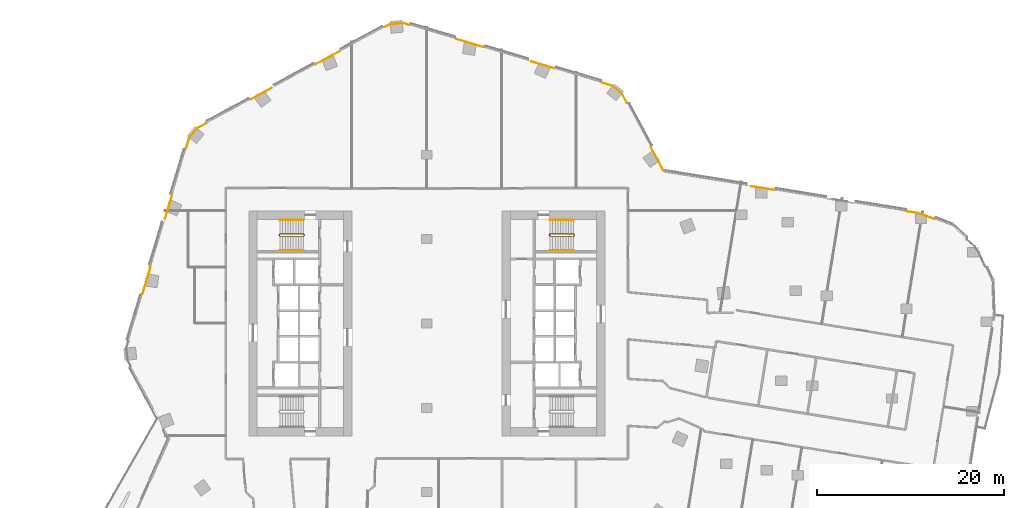
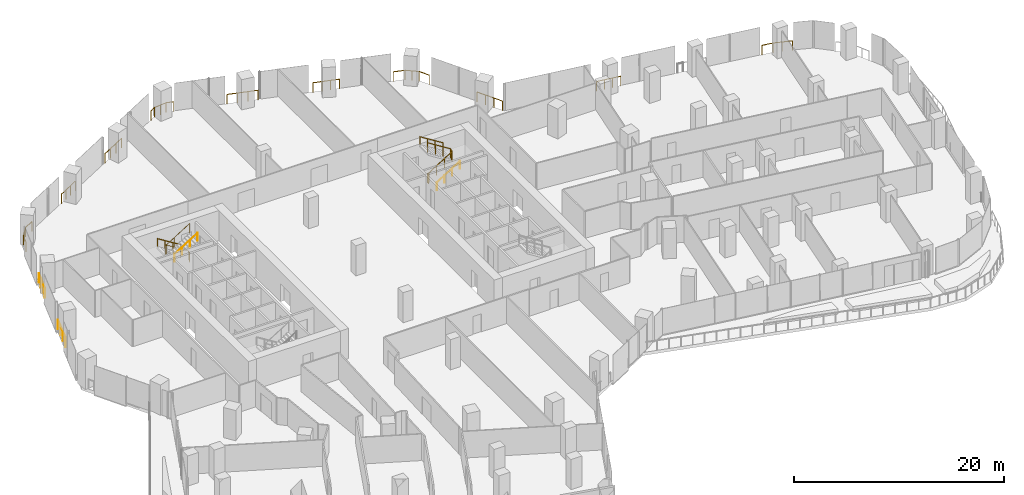
# One storey, part 31 of 32: 18 railings.
"""IFC4 building model written with IfcOpenShell, lengths in metres."""

from ifc_helpers import new_model, si_unit, direction, frame, origin, origin_2d, place, context, subcontext, project, spatial, circle, extrude, material, type_object, element, save


model = new_model("IFC4")

# Units and contexts
model_context = context("Model", 3, precision=1e-05, world=origin(), true_north=direction((0.0, 1.0)))
body_context = subcontext(model_context, "Body", "Model", "MODEL_VIEW")
ifc_project = project(units=[si_unit("LENGTHUNIT", "METRE"), si_unit("AREAUNIT", "SQUARE_METRE"), si_unit("VOLUMEUNIT", "CUBIC_METRE"), si_unit("PLANEANGLEUNIT", "RADIAN"), si_unit("MASSUNIT", "GRAM", prefix="KILO")], contexts=[model_context])

# Site, building, storey
site_placement = place(None, origin())
site = spatial("IfcSite", under=ifc_project, at=site_placement, CompositionType="ELEMENT")
building_placement = place(site_placement, origin())
building = spatial("IfcBuilding", under=site, at=building_placement, Name="Orlundy Tower", CompositionType="ELEMENT")
storey_placement = place(building_placement, frame((0.0, 0.0, 123.699951171875)))
storey = spatial("IfcBuildingStorey", under=building, at=storey_placement, Name="L31", CompositionType="ELEMENT", Elevation=123.699951171875)

# Railings
ifc_material_1 = material(Name="Steel balustrade", Category="steel")
railing_type_1 = type_object("IfcRailingType", Name="Stair Guard 1100", PredefinedType="GUARDRAIL", material=ifc_material_1)
railing_1_placement = place(storey_placement, frame((-13.090087890625, 9.5, 0.0)))
element("IfcRailing", 1, at=railing_1_placement, inside=storey, type_object=railing_type_1, Name="L31 ST-W1 stair guard 1", PredefinedType="GUARDRAIL", context=body_context, shape_type="SweptSolid", body=[
    extrude(circle(Radius=0.02392578125, at=origin_2d()), frame((0.0, 0.0, 1.076171875), z_axis=(0.0, -1.0, 0.0), x_axis=(1.0, 0.0, 0.0)), (0.0, 0.0, 1.0), 0.14990234375),
    extrude(circle(Radius=0.02392578125, at=origin_2d()), frame((0.0, -0.14990234375, 1.076171875), z_axis=(-0.18420542264, 0.739530593833, 0.647427882513), x_axis=(-0.970351222016, -0.241699205484, 0.0)), (0.0, 0.0, 1.0), 0.270263671875),
    extrude(circle(Radius=0.02392578125, at=origin_2d()), frame((-0.0498046875, 0.050048828125, 1.2509765625), z_axis=(-0.848007534815, 0.0, 0.529984170421), x_axis=(0.0, -1.0, 0.0)), (0.0, 0.0, 1.0), 2.9716796875),
    extrude(circle(Radius=0.02392578125, at=origin_2d()), frame((-2.56982421875, 0.050048828125, 2.826171875), z_axis=(-0.707106781187, -0.707106781187, 0.0), x_axis=(0.707106781187, -0.707106781187, 0.0)), (0.0, 0.0, 1.0), 0.07080078125),
    extrude(circle(Radius=0.02392578125, at=origin_2d()), frame((-2.619873046875, 0.0, 2.826171875), z_axis=(0.0, -1.0, 0.0), x_axis=(1.0, 0.0, 0.0)), (0.0, 0.0, 1.0), 0.14990234375),
    extrude(circle(Radius=0.02392578125, at=origin_2d()), frame((-2.619873046875, -0.14990234375, 2.826171875), z_axis=(0.265065253269, -0.265065253269, 0.927081885822), x_axis=(0.707106781187, 0.707106781187, 0.0)), (0.0, 0.0, 1.0), 0.188720703125),
    extrude(circle(Radius=0.02392578125, at=origin_2d()), frame((-2.56982421875, -0.199951171875, 3.0009765625), z_axis=(0.848007534815, 0.0, 0.529984170421), x_axis=(0.0, 1.0, 0.0)), (0.0, 0.0, 1.0), 2.9716796875),
    extrude(circle(Radius=0.02099609375, at=origin_2d()), origin(), (0.0, 0.0, 1.0), 1.052001953125),
    extrude(circle(Radius=0.02099609375, at=origin_2d()), frame((0.0, -0.14990234375, 0.0)), (0.0, 0.0, 1.0), 1.052001953125),
    extrude(circle(Radius=0.02099609375, at=origin_2d()), frame((-0.0498046875, 0.050048828125, 0.175048828125)), (0.0, 0.0, 1.0), 1.052001953125),
    extrude(circle(Radius=0.02099609375, at=origin_2d()), frame((-0.889892578125, 0.050048828125, 0.699951171875)), (0.0, 0.0, 1.0), 1.052001953125),
    extrude(circle(Radius=0.02099609375, at=origin_2d()), frame((-1.729736328125, 0.050048828125, 1.22509765625)), (0.0, 0.0, 1.0), 1.052001953125),
    extrude(circle(Radius=0.02099609375, at=origin_2d()), frame((-2.56982421875, 0.050048828125, 1.75)), (0.0, 0.0, 1.0), 1.052001953125),
    extrude(circle(Radius=0.02099609375, at=origin_2d()), frame((-2.619873046875, 0.0, 1.75)), (0.0, 0.0, 1.0), 1.052001953125),
    extrude(circle(Radius=0.02099609375, at=origin_2d()), frame((-2.619873046875, -0.14990234375, 1.75)), (0.0, 0.0, 1.0), 1.052001953125),
    extrude(circle(Radius=0.02099609375, at=origin_2d()), frame((-2.56982421875, -0.199951171875, 1.925048828125)), (0.0, 0.0, 1.0), 1.052001953125),
    extrude(circle(Radius=0.02099609375, at=origin_2d()), frame((-1.729736328125, -0.199951171875, 2.449951171875)), (0.0, 0.0, 1.0), 1.052001953125),
    extrude(circle(Radius=0.02099609375, at=origin_2d()), frame((-0.889892578125, -0.199951171875, 2.97509765625)), (0.0, 0.0, 1.0), 1.052001953125),
    extrude(circle(Radius=0.02099609375, at=origin_2d()), frame((-0.0498046875, -0.199951171875, 3.5)), (0.0, 0.0, 1.0), 1.052001953125),
])
railing_2_placement = place(storey_placement, frame((13.090087890625, 9.35009765625, 0.0)))
element("IfcRailing", 2, at=railing_2_placement, inside=storey, type_object=railing_type_1, Name="L31 ST-E2 stair guard 1", PredefinedType="GUARDRAIL", context=body_context, shape_type="SweptSolid", body=[
    extrude(circle(Radius=0.02392578125, at=origin_2d()), frame((0.0, 0.0, 1.076171875), z_axis=(0.0, 1.0, 0.0), x_axis=(-1.0, 0.0, 0.0)), (0.0, 0.0, 1.0), 0.14990234375),
    extrude(circle(Radius=0.02392578125, at=origin_2d()), frame((0.0, 0.14990234375, 1.076171875), z_axis=(0.18420542264, -0.739530593833, 0.647427882513), x_axis=(0.970351222016, 0.241699205484, 0.0)), (0.0, 0.0, 1.0), 0.270263671875),
    extrude(circle(Radius=0.02392578125, at=origin_2d()), frame((0.0498046875, -0.050048828125, 1.2509765625), z_axis=(0.848007534815, 0.0, 0.529984170421), x_axis=(0.0, 1.0, 0.0)), (0.0, 0.0, 1.0), 2.9716796875),
    extrude(circle(Radius=0.02392578125, at=origin_2d()), frame((2.56982421875, -0.050048828125, 2.826171875), z_axis=(0.707106781187, 0.707106781187, 0.0), x_axis=(-0.707106781187, 0.707106781187, 0.0)), (0.0, 0.0, 1.0), 0.07080078125),
    extrude(circle(Radius=0.02392578125, at=origin_2d()), frame((2.619873046875, 0.0, 2.826171875), z_axis=(0.0, 1.0, 0.0), x_axis=(-1.0, 0.0, 0.0)), (0.0, 0.0, 1.0), 0.14990234375),
    extrude(circle(Radius=0.02392578125, at=origin_2d()), frame((2.619873046875, 0.14990234375, 2.826171875), z_axis=(-0.265065253269, 0.265065253269, 0.927081885822), x_axis=(-0.707106781187, -0.707106781187, 0.0)), (0.0, 0.0, 1.0), 0.188720703125),
    extrude(circle(Radius=0.02392578125, at=origin_2d()), frame((2.56982421875, 0.199951171875, 3.0009765625), z_axis=(-0.848007534815, 0.0, 0.529984170421), x_axis=(0.0, -1.0, 0.0)), (0.0, 0.0, 1.0), 2.9716796875),
    extrude(circle(Radius=0.02099609375, at=origin_2d()), origin(), (0.0, 0.0, 1.0), 1.052001953125),
    extrude(circle(Radius=0.02099609375, at=origin_2d()), frame((0.0, 0.14990234375, 0.0)), (0.0, 0.0, 1.0), 1.052001953125),
    extrude(circle(Radius=0.02099609375, at=origin_2d()), frame((0.0498046875, -0.050048828125, 0.175048828125)), (0.0, 0.0, 1.0), 1.052001953125),
    extrude(circle(Radius=0.02099609375, at=origin_2d()), frame((0.889892578125, -0.050048828125, 0.699951171875)), (0.0, 0.0, 1.0), 1.052001953125),
    extrude(circle(Radius=0.02099609375, at=origin_2d()), frame((1.729736328125, -0.050048828125, 1.22509765625)), (0.0, 0.0, 1.0), 1.052001953125),
    extrude(circle(Radius=0.02099609375, at=origin_2d()), frame((2.56982421875, -0.050048828125, 1.75)), (0.0, 0.0, 1.0), 1.052001953125),
    extrude(circle(Radius=0.02099609375, at=origin_2d()), frame((2.619873046875, 0.0, 1.75)), (0.0, 0.0, 1.0), 1.052001953125),
    extrude(circle(Radius=0.02099609375, at=origin_2d()), frame((2.619873046875, 0.14990234375, 1.75)), (0.0, 0.0, 1.0), 1.052001953125),
    extrude(circle(Radius=0.02099609375, at=origin_2d()), frame((2.56982421875, 0.199951171875, 1.925048828125)), (0.0, 0.0, 1.0), 1.052001953125),
    extrude(circle(Radius=0.02099609375, at=origin_2d()), frame((1.729736328125, 0.199951171875, 2.449951171875)), (0.0, 0.0, 1.0), 1.052001953125),
    extrude(circle(Radius=0.02099609375, at=origin_2d()), frame((0.889892578125, 0.199951171875, 2.97509765625)), (0.0, 0.0, 1.0), 1.052001953125),
    extrude(circle(Radius=0.02099609375, at=origin_2d()), frame((0.0498046875, 0.199951171875, 3.5)), (0.0, 0.0, 1.0), 1.052001953125),
])
ifc_material_2 = material(Name="Steel handrail", Category="steel")
railing_type_2 = type_object("IfcRailingType", Name="Stair Handrail 900", PredefinedType="HANDRAIL", material=ifc_material_2)
railing_3_placement = place(storey_placement, frame((-13.139892578125, 11.050048828125, 0.175048828125)))
element("IfcRailing", 3, at=railing_3_placement, inside=storey, type_object=railing_type_2, Name="L31 ST-W1 stair handrail 1", PredefinedType="HANDRAIL", context=body_context, shape_type="SweptSolid", body=[
    extrude(circle(Radius=0.02392578125, at=origin_2d()), frame((0.0, 0.0, 0.8759765625), z_axis=(-0.848007534815, 0.0, 0.529984170421), x_axis=(0.0, -1.0, 0.0)), (0.0, 0.0, 1.0), 2.9716796875),
    extrude(circle(Radius=0.02099609375, at=origin_2d()), origin(), (0.0, 0.0, 1.0), 0.851806640625),
    extrude(circle(Radius=0.02099609375, at=origin_2d()), frame((-0.840087890625, 0.0, 0.52490234375)), (0.0, 0.0, 1.0), 0.851806640625),
    extrude(circle(Radius=0.02099609375, at=origin_2d()), frame((-1.679931640625, 0.0, 1.050048828125)), (0.0, 0.0, 1.0), 0.851806640625),
    extrude(circle(Radius=0.02099609375, at=origin_2d()), frame((-2.52001953125, 0.0, 1.574951171875)), (0.0, 0.0, 1.0), 0.851806640625),
])
for number, where, name in (
    (4, (-15.659912109375, 7.800048828125, 1.925048828125), "L31 ST-W1 stair handrail 2"),
    (5, (13.139892578125, 7.800048828125, 0.175048828125), "L31 ST-E2 stair handrail 1"),
):
    element("IfcRailing", number, at=place(storey_placement, frame(where)), inside=storey, type_object=railing_type_2, Name=name, PredefinedType="HANDRAIL", context=body_context, shape_type="SweptSolid", body=[
        extrude(circle(Radius=0.02392578125, at=origin_2d()), frame((0.0, 0.0, 0.8759765625), z_axis=(0.848007534815, 0.0, 0.529984170421), x_axis=(0.0, 1.0, 0.0)), (0.0, 0.0, 1.0), 2.9716796875),
        extrude(circle(Radius=0.02099609375, at=origin_2d()), origin(), (0.0, 0.0, 1.0), 0.851806640625),
        extrude(circle(Radius=0.02099609375, at=origin_2d()), frame((0.840087890625, 0.0, 0.52490234375)), (0.0, 0.0, 1.0), 0.851806640625),
        extrude(circle(Radius=0.02099609375, at=origin_2d()), frame((1.679931640625, 0.0, 1.050048828125)), (0.0, 0.0, 1.0), 0.851806640625),
        extrude(circle(Radius=0.02099609375, at=origin_2d()), frame((2.52001953125, 0.0, 1.574951171875)), (0.0, 0.0, 1.0), 0.851806640625),
    ])
railing_4_placement = place(storey_placement, frame((15.659912109375, 11.050048828125, 1.925048828125)))
element("IfcRailing", 6, at=railing_4_placement, inside=storey, type_object=railing_type_2, Name="L31 ST-E2 stair handrail 2", PredefinedType="HANDRAIL", context=body_context, shape_type="SweptSolid", body=[
    extrude(circle(Radius=0.02392578125, at=origin_2d()), frame((0.0, 0.0, 0.8759765625), z_axis=(-0.848007534815, 0.0, 0.529984170421), x_axis=(0.0, -1.0, 0.0)), (0.0, 0.0, 1.0), 2.9716796875),
    extrude(circle(Radius=0.02099609375, at=origin_2d()), origin(), (0.0, 0.0, 1.0), 0.851806640625),
    extrude(circle(Radius=0.02099609375, at=origin_2d()), frame((-0.840087890625, 0.0, 0.52490234375)), (0.0, 0.0, 1.0), 0.851806640625),
    extrude(circle(Radius=0.02099609375, at=origin_2d()), frame((-1.679931640625, 0.0, 1.050048828125)), (0.0, 0.0, 1.0), 0.851806640625),
    extrude(circle(Radius=0.02099609375, at=origin_2d()), frame((-2.52001953125, 0.0, 1.574951171875)), (0.0, 0.0, 1.0), 0.851806640625),
])
ifc_material_3 = material(Name="Stainless steel bronze finish", Category="steel")
railing_type_3 = type_object("IfcRailingType", Name="TG1 terrace guard", PredefinedType="GUARDRAIL", material=ifc_material_3)
railing_5_placement = place(storey_placement, frame((-25.685302734375, 18.667724609375, 0.0)))
element("IfcRailing", 7, at=railing_5_placement, inside=storey, type_object=railing_type_3, Name="Guard TG-L31-E00", PredefinedType="GUARDRAIL", context=body_context, shape_type="SweptSolid", body=[
    extrude(circle(Radius=0.02490234375, at=origin_2d()), frame((0.0, 0.0, 1.09521484375), z_axis=(0.286825043607, 0.957982982291, 0.0), x_axis=(-0.957982982291, 0.286825043607, 0.0)), (0.0, 0.0, 1.0), 1.15673828125),
    extrude(circle(Radius=0.02490234375, at=origin_2d()), frame((0.331787109375, 1.108154296875, 1.09521484375), z_axis=(0.631848737846, 0.775091718755, 0.0), x_axis=(-0.775091718755, 0.631848737846, 0.0)), (0.0, 0.0, 1.0), 1.360107421875),
    extrude(circle(Radius=0.02490234375, at=origin_2d()), frame((1.191162109375, 2.162353515625, 1.09521484375), z_axis=(0.880114537666, 0.474761414385, 0.0), x_axis=(-0.474761414385, 0.880114537666, 0.0)), (0.0, 0.0, 1.0), 1.1220703125),
    extrude(circle(Radius=0.02001953125, at=origin_2d()), origin(), (0.0, 0.0, 1.0), 1.070068359375),
    extrude(circle(Radius=0.02001953125, at=origin_2d()), frame((0.331787109375, 1.108154296875, 0.0)), (0.0, 0.0, 1.0), 1.070068359375),
    extrude(circle(Radius=0.02001953125, at=origin_2d()), frame((0.761474609375, 1.63525390625, 0.0)), (0.0, 0.0, 1.0), 1.070068359375),
    extrude(circle(Radius=0.02001953125, at=origin_2d()), frame((1.191162109375, 2.162353515625, 0.0)), (0.0, 0.0, 1.0), 1.070068359375),
    extrude(circle(Radius=0.02001953125, at=origin_2d()), frame((2.1787109375, 2.695068359375, 0.0)), (0.0, 0.0, 1.0), 1.070068359375),
])
railing_6_placement = place(storey_placement, frame((18.667724609375, 25.685302734375, 0.0)))
element("IfcRailing", 8, at=railing_6_placement, inside=storey, type_object=railing_type_3, Name="Guard TG-L31-E01", PredefinedType="GUARDRAIL", context=body_context, shape_type="SweptSolid", body=[
    extrude(circle(Radius=0.02490234375, at=origin_2d()), frame((0.0, 0.0, 1.09521484375), z_axis=(0.957982982291, -0.286825043607, 0.0), x_axis=(0.286825043607, 0.957982982291, 0.0)), (0.0, 0.0, 1.0), 1.15673828125),
    extrude(circle(Radius=0.02490234375, at=origin_2d()), frame((1.108154296875, -0.331787109375, 1.09521484375), z_axis=(0.775091718755, -0.631848737846, 0.0), x_axis=(0.631848737846, 0.775091718755, 0.0)), (0.0, 0.0, 1.0), 1.360107421875),
    extrude(circle(Radius=0.02490234375, at=origin_2d()), frame((2.162353515625, -1.191162109375, 1.09521484375), z_axis=(0.474761414385, -0.880114537666, 0.0), x_axis=(0.880114537666, 0.474761414385, 0.0)), (0.0, 0.0, 1.0), 1.1220703125),
    extrude(circle(Radius=0.02001953125, at=origin_2d()), origin(), (0.0, 0.0, 1.0), 1.070068359375),
    extrude(circle(Radius=0.02001953125, at=origin_2d()), frame((1.108154296875, -0.331787109375, 0.0)), (0.0, 0.0, 1.0), 1.070068359375),
    extrude(circle(Radius=0.02001953125, at=origin_2d()), frame((1.63525390625, -0.761474609375, 0.0)), (0.0, 0.0, 1.0), 1.070068359375),
    extrude(circle(Radius=0.02001953125, at=origin_2d()), frame((2.162353515625, -1.191162109375, 0.0)), (0.0, 0.0, 1.0), 1.070068359375),
    extrude(circle(Radius=0.02001953125, at=origin_2d()), frame((2.695068359375, -2.1787109375, 0.0)), (0.0, 0.0, 1.0), 1.070068359375),
])
railing_7_placement = place(storey_placement, frame((-30.338134765625, 3.12646484375, 0.0)))
element("IfcRailing", 9, at=railing_7_placement, inside=storey, type_object=railing_type_3, Name="Guard TG-L31-E06", PredefinedType="GUARDRAIL", context=body_context, shape_type="SweptSolid", body=[
    extrude(circle(Radius=0.02490234375, at=origin_2d()), frame((0.0, 0.0, 1.09521484375), z_axis=(0.286858431048, 0.957972985285, 0.0), x_axis=(-0.957972985285, 0.286858431048, 0.0)), (0.0, 0.0, 1.0), 3.0205078125),
    extrude(circle(Radius=0.02001953125, at=origin_2d()), origin(), (0.0, 0.0, 1.0), 1.070068359375),
    extrude(circle(Radius=0.02001953125, at=origin_2d()), frame((0.288818359375, 0.964599609375, 0.0)), (0.0, 0.0, 1.0), 1.070068359375),
    extrude(circle(Radius=0.02001953125, at=origin_2d()), frame((0.57763671875, 1.928955078125, 0.0)), (0.0, 0.0, 1.0), 1.070068359375),
    extrude(circle(Radius=0.02001953125, at=origin_2d()), frame((0.866455078125, 2.8935546875, 0.0)), (0.0, 0.0, 1.0), 1.070068359375),
])
railing_8_placement = place(storey_placement, frame((3.12646484375, 30.338134765625, 0.0)))
element("IfcRailing", 10, at=railing_8_placement, inside=storey, type_object=railing_type_3, Name="Guard TG-L31-E07", PredefinedType="GUARDRAIL", context=body_context, shape_type="SweptSolid", body=[
    extrude(circle(Radius=0.02490234375, at=origin_2d()), frame((0.0, 0.0, 1.09521484375), z_axis=(0.957972985285, -0.286858431048, 0.0), x_axis=(0.286858431048, 0.957972985285, 0.0)), (0.0, 0.0, 1.0), 3.0205078125),
    extrude(circle(Radius=0.02001953125, at=origin_2d()), origin(), (0.0, 0.0, 1.0), 1.070068359375),
    extrude(circle(Radius=0.02001953125, at=origin_2d()), frame((0.964599609375, -0.288818359375, 0.0)), (0.0, 0.0, 1.0), 1.070068359375),
    extrude(circle(Radius=0.02001953125, at=origin_2d()), frame((1.928955078125, -0.57763671875, 0.0)), (0.0, 0.0, 1.0), 1.070068359375),
    extrude(circle(Radius=0.02001953125, at=origin_2d()), frame((2.8935546875, -0.866455078125, 0.0)), (0.0, 0.0, 1.0), 1.070068359375),
])
railing_9_placement = place(storey_placement, frame((51.232421875, 11.95068359375, 0.0)))
element("IfcRailing", 11, at=railing_9_placement, inside=storey, type_object=railing_type_3, Name="Guard TG-L31-E08", PredefinedType="GUARDRAIL", context=body_context, shape_type="SweptSolid", body=[
    extrude(circle(Radius=0.02490234375, at=origin_2d()), frame((0.0, 0.0, 1.09521484375), z_axis=(0.987258704089, -0.159123383575, 0.0), x_axis=(0.159123383575, 0.987258704089, 0.0)), (0.0, 0.0, 1.0), 1.126220703125),
    extrude(circle(Radius=0.02490234375, at=origin_2d()), frame((1.11181640625, -0.17919921875, 1.09521484375), z_axis=(0.944115722543, -0.329614172097, 0.0), x_axis=(0.329614172097, 0.944115722543, 0.0)), (0.0, 0.0, 1.0), 1.861328125),
    extrude(circle(Radius=0.02001953125, at=origin_2d()), origin(), (0.0, 0.0, 1.0), 1.070068359375),
    extrude(circle(Radius=0.02001953125, at=origin_2d()), frame((1.11181640625, -0.17919921875, 0.0)), (0.0, 0.0, 1.0), 1.070068359375),
    extrude(circle(Radius=0.02001953125, at=origin_2d()), frame((1.990478515625, -0.48583984375, 0.0)), (0.0, 0.0, 1.0), 1.070068359375),
    extrude(circle(Radius=0.02001953125, at=origin_2d()), frame((2.869140625, -0.792724609375, 0.0)), (0.0, 0.0, 1.0), 1.070068359375),
])
railing_10_placement = place(storey_placement, frame((-11.85546875, 27.645263671875, 0.0)))
element("IfcRailing", 12, at=railing_10_placement, inside=storey, type_object=railing_type_3, Name="Guard TG-L31-E09", PredefinedType="GUARDRAIL", context=body_context, shape_type="SweptSolid", body=[
    extrude(circle(Radius=0.02490234375, at=origin_2d()), frame((0.0, 0.0, 1.09521484375), z_axis=(0.880191167003, 0.47461933118, 0.0), x_axis=(-0.47461933118, 0.880191167003, 0.0)), (0.0, 0.0, 1.0), 2.97021484375),
    extrude(circle(Radius=0.02001953125, at=origin_2d()), origin(), (0.0, 0.0, 1.0), 1.070068359375),
    extrude(circle(Radius=0.02001953125, at=origin_2d()), frame((0.871337890625, 0.469970703125, 0.0)), (0.0, 0.0, 1.0), 1.070068359375),
    extrude(circle(Radius=0.02001953125, at=origin_2d()), frame((1.742919921875, 0.939697265625, 0.0)), (0.0, 0.0, 1.0), 1.070068359375),
    extrude(circle(Radius=0.02001953125, at=origin_2d()), frame((2.6142578125, 1.40966796875, 0.0)), (0.0, 0.0, 1.0), 1.070068359375),
])
railing_11_placement = place(storey_placement, frame((23.9013671875, 18.798828125, 0.0)))
element("IfcRailing", 13, at=railing_11_placement, inside=storey, type_object=railing_type_3, Name="Guard TG-L31-E011", PredefinedType="GUARDRAIL", context=body_context, shape_type="SweptSolid", body=[
    extrude(circle(Radius=0.02490234375, at=origin_2d()), frame((0.0, 0.0, 1.09521484375), z_axis=(0.474591271073, -0.880206297081, 0.0), x_axis=(0.880206297081, 0.474591271073, 0.0)), (0.0, 0.0, 1.0), 2.81396484375),
    extrude(circle(Radius=0.02001953125, at=origin_2d()), origin(), (0.0, 0.0, 1.0), 1.070068359375),
    extrude(circle(Radius=0.02001953125, at=origin_2d()), frame((0.445068359375, -0.82568359375, 0.0)), (0.0, 0.0, 1.0), 1.070068359375),
    extrude(circle(Radius=0.02001953125, at=origin_2d()), frame((0.890380859375, -1.651123046875, 0.0)), (0.0, 0.0, 1.0), 1.070068359375),
    extrude(circle(Radius=0.02001953125, at=origin_2d()), frame((1.33544921875, -2.476806640625, 0.0)), (0.0, 0.0, 1.0), 1.070068359375),
])
railing_12_placement = place(storey_placement, frame((-4.5205078125, 31.600341796875, 0.0)))
element("IfcRailing", 14, at=railing_12_placement, inside=storey, type_object=railing_type_3, Name="Guard TG-L31-E014", PredefinedType="GUARDRAIL", context=body_context, shape_type="SweptSolid", body=[
    extrude(circle(Radius=0.02490234375, at=origin_2d()), frame((0.0, 0.0, 1.09521484375), z_axis=(0.880148110666, 0.474699171362, 0.0), x_axis=(-0.474699171362, 0.880148110666, 0.0)), (0.0, 0.0, 1.0), 0.65576171875),
    extrude(circle(Radius=0.02490234375, at=origin_2d()), frame((0.5771484375, 0.311279296875, 1.09521484375), z_axis=(0.9948234061, 0.10161885, 0.0), x_axis=(-0.10161885, 0.9948234061, 0.0)), (0.0, 0.0, 1.0), 1.35986328125),
    extrude(circle(Radius=0.02490234375, at=origin_2d()), frame((1.929931640625, 0.449462890625, 1.09521484375), z_axis=(0.958008730114, -0.286739032965, 0.0), x_axis=(0.286739032965, 0.958008730114, 0.0)), (0.0, 0.0, 1.0), 0.698974609375),
    extrude(circle(Radius=0.02001953125, at=origin_2d()), origin(), (0.0, 0.0, 1.0), 1.070068359375),
    extrude(circle(Radius=0.02001953125, at=origin_2d()), frame((0.5771484375, 0.311279296875, 0.0)), (0.0, 0.0, 1.0), 1.070068359375),
    extrude(circle(Radius=0.02001953125, at=origin_2d()), frame((1.25341796875, 0.38037109375, 0.0)), (0.0, 0.0, 1.0), 1.070068359375),
    extrude(circle(Radius=0.02001953125, at=origin_2d()), frame((1.929931640625, 0.449462890625, 0.0)), (0.0, 0.0, 1.0), 1.070068359375),
    extrude(circle(Radius=0.02001953125, at=origin_2d()), frame((2.599609375, 0.2490234375, 0.0)), (0.0, 0.0, 1.0), 1.070068359375),
])
railing_13_placement = place(storey_placement, frame((-27.931396484375, 11.164794921875, 0.0)))
element("IfcRailing", 15, at=railing_13_placement, inside=storey, type_object=railing_type_3, Name="Guard TG-L31-E015", PredefinedType="GUARDRAIL", context=body_context, shape_type="SweptSolid", body=[
    extrude(circle(Radius=0.02490234375, at=origin_2d()), frame((0.0, 0.0, 1.09521484375), z_axis=(0.286762422365, 0.958001729184, 0.0), x_axis=(-0.958001729184, 0.286762422365, 0.0)), (0.0, 0.0, 1.0), 2.5634765625),
    extrude(circle(Radius=0.02001953125, at=origin_2d()), origin(), (0.0, 0.0, 1.0), 1.070068359375),
    extrude(circle(Radius=0.02001953125, at=origin_2d()), frame((0.2451171875, 0.818603515625, 0.0)), (0.0, 0.0, 1.0), 1.070068359375),
    extrude(circle(Radius=0.02001953125, at=origin_2d()), frame((0.489990234375, 1.63720703125, 0.0)), (0.0, 0.0, 1.0), 1.070068359375),
    extrude(circle(Radius=0.02001953125, at=origin_2d()), frame((0.735107421875, 2.455810546875, 0.0)), (0.0, 0.0, 1.0), 1.070068359375),
])
railing_14_placement = place(storey_placement, frame((11.164794921875, 27.931396484375, 0.0)))
element("IfcRailing", 16, at=railing_14_placement, inside=storey, type_object=railing_type_3, Name="Guard TG-L31-E016", PredefinedType="GUARDRAIL", context=body_context, shape_type="SweptSolid", body=[
    extrude(circle(Radius=0.02490234375, at=origin_2d()), frame((0.0, 0.0, 1.09521484375), z_axis=(0.958001729184, -0.286762422365, 0.0), x_axis=(0.286762422365, 0.958001729184, 0.0)), (0.0, 0.0, 1.0), 2.5634765625),
    extrude(circle(Radius=0.02001953125, at=origin_2d()), origin(), (0.0, 0.0, 1.0), 1.070068359375),
    extrude(circle(Radius=0.02001953125, at=origin_2d()), frame((0.818603515625, -0.2451171875, 0.0)), (0.0, 0.0, 1.0), 1.070068359375),
    extrude(circle(Radius=0.02001953125, at=origin_2d()), frame((1.63720703125, -0.489990234375, 0.0)), (0.0, 0.0, 1.0), 1.070068359375),
    extrude(circle(Radius=0.02001953125, at=origin_2d()), frame((2.455810546875, -0.735107421875, 0.0)), (0.0, 0.0, 1.0), 1.070068359375),
])
railing_15_placement = place(storey_placement, frame((-18.798828125, 23.9013671875, 0.0)))
element("IfcRailing", 17, at=railing_15_placement, inside=storey, type_object=railing_type_3, Name="Guard TG-L31-E017", PredefinedType="GUARDRAIL", context=body_context, shape_type="SweptSolid", body=[
    extrude(circle(Radius=0.02490234375, at=origin_2d()), frame((0.0, 0.0, 1.09521484375), z_axis=(0.880212526058, 0.474579718247, 0.0), x_axis=(-0.474579718247, 0.880212526058, 0.0)), (0.0, 0.0, 1.0), 2.517578125),
    extrude(circle(Radius=0.02001953125, at=origin_2d()), origin(), (0.0, 0.0, 1.0), 1.070068359375),
    extrude(circle(Radius=0.02001953125, at=origin_2d()), frame((0.73876953125, 0.398193359375, 0.0)), (0.0, 0.0, 1.0), 1.070068359375),
    extrude(circle(Radius=0.02001953125, at=origin_2d()), frame((1.477294921875, 0.796630859375, 0.0)), (0.0, 0.0, 1.0), 1.070068359375),
    extrude(circle(Radius=0.02001953125, at=origin_2d()), frame((2.216064453125, 1.19482421875, 0.0)), (0.0, 0.0, 1.0), 1.070068359375),
])
railing_16_placement = place(storey_placement, frame((34.618408203125, 14.631591796875, 0.0)))
element("IfcRailing", 18, at=railing_16_placement, inside=storey, type_object=railing_type_3, Name="Guard TG-L31-E018", PredefinedType="GUARDRAIL", context=body_context, shape_type="SweptSolid", body=[
    extrude(circle(Radius=0.02490234375, at=origin_2d()), frame((0.0, 0.0, 1.09521484375), z_axis=(0.987237077371, -0.159257505516, 0.0), x_axis=(0.159257505516, 0.987237077371, 0.0)), (0.0, 0.0, 1.0), 2.44970703125),
    extrude(circle(Radius=0.02001953125, at=origin_2d()), origin(), (0.0, 0.0, 1.0), 1.070068359375),
    extrude(circle(Radius=0.02001953125, at=origin_2d()), frame((0.80615234375, -0.130126953125, 0.0)), (0.0, 0.0, 1.0), 1.070068359375),
    extrude(circle(Radius=0.02001953125, at=origin_2d()), frame((1.6123046875, -0.260009765625, 0.0)), (0.0, 0.0, 1.0), 1.070068359375),
    extrude(circle(Radius=0.02001953125, at=origin_2d()), frame((2.41845703125, -0.39013671875, 0.0)), (0.0, 0.0, 1.0), 1.070068359375),
])

save(model, "model.ifc")
